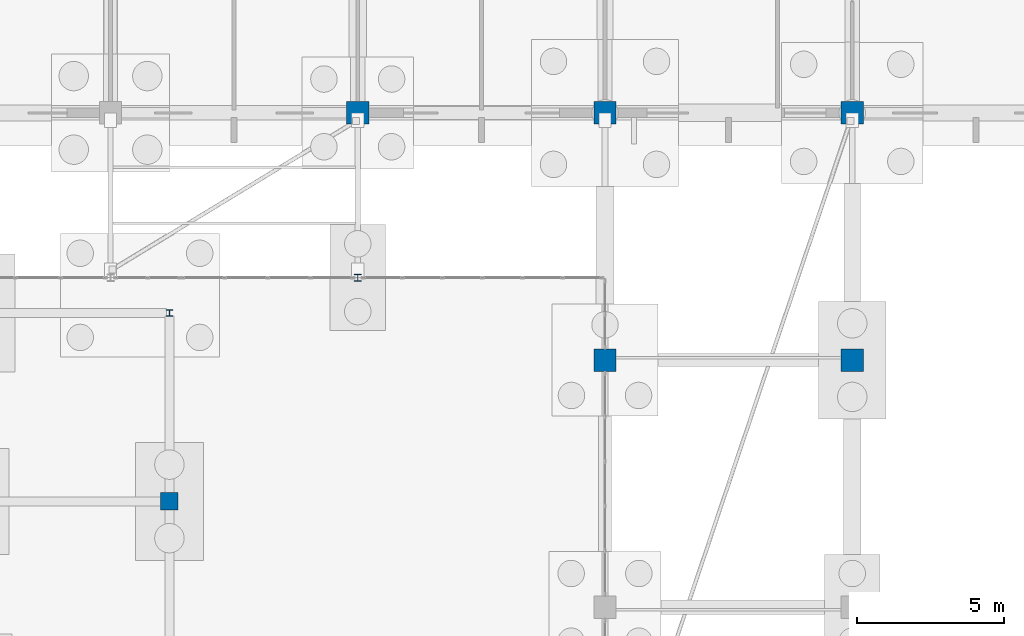
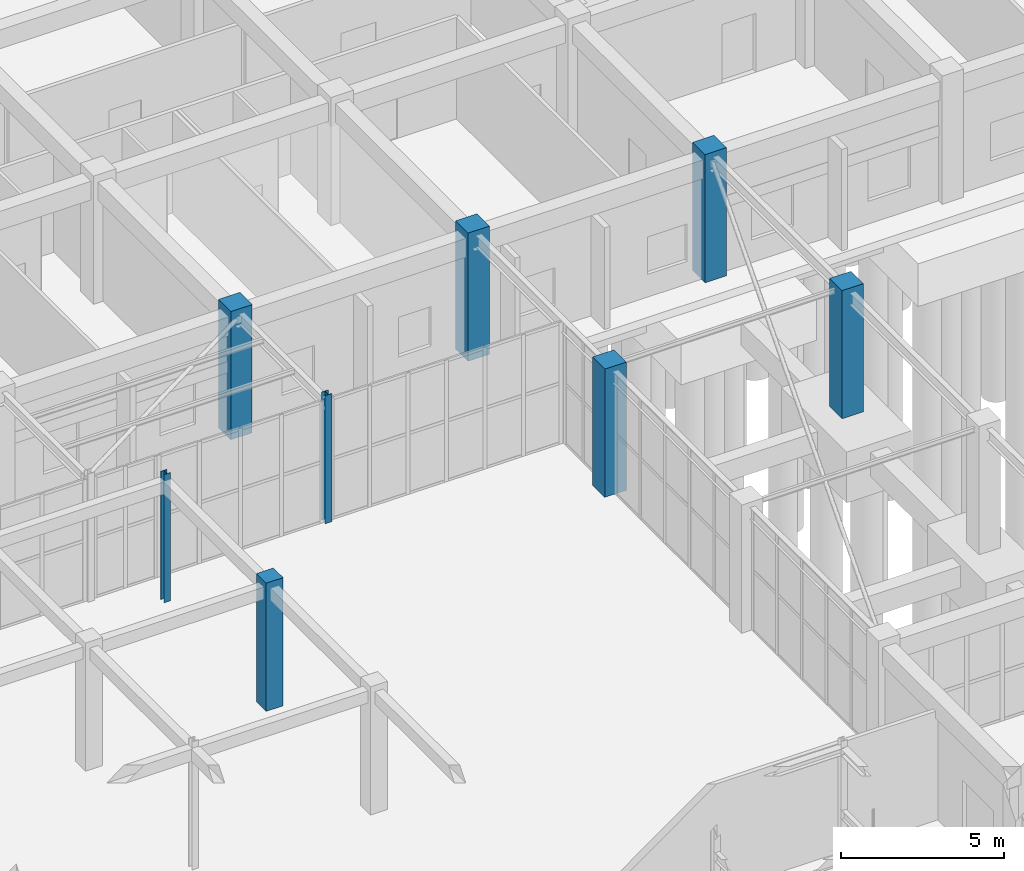
# One storey, part 35 of 192: 8 columns.
"""IFC4 building model written with IfcOpenShell, lengths in metres."""

from ifc_helpers import new_model, si_unit, direction, frame, origin, origin_2d, place, context, subcontext, project, spatial, rectangle, i_section, extrude, material, material_profile, profile_set, type_object, element, save


model = new_model("IFC4")

# Units and contexts
model_context = context("Model", 3, precision=1e-05, world=origin(), true_north=direction((0.0, 1.0)))
body_context = subcontext(model_context, "Body", "Model", "MODEL_VIEW")
ifc_project = project(units=[si_unit("LENGTHUNIT", "METRE"), si_unit("AREAUNIT", "SQUARE_METRE"), si_unit("VOLUMEUNIT", "CUBIC_METRE"), si_unit("PLANEANGLEUNIT", "RADIAN"), si_unit("MASSUNIT", "GRAM", prefix="KILO")], contexts=[model_context])

# Site, building, storey
site_placement = place(None, origin())
site = spatial("IfcSite", under=ifc_project, at=site_placement, CompositionType="ELEMENT")
building_placement = place(site_placement, origin())
building = spatial("IfcBuilding", under=site, at=building_placement, Name="Trelvath General Hospital", CompositionType="ELEMENT")
storey_placement = place(building_placement, origin())
storey = spatial("IfcBuildingStorey", under=building, at=storey_placement, Name="L00", CompositionType="ELEMENT", Elevation=0.0)

# Columns
ifc_material_1 = material(Name="Steel S355", Category="steel")
ifc_material_profile_1 = material_profile(ifc_material_1, i_section(OverallWidth=0.239990234375, OverallDepth=0.22998046875, WebThickness=0.007568359375, FlangeThickness=0.011962890625, at=origin_2d()), Name="HEA240")
ifc_profile_set_1 = profile_set([ifc_material_profile_1], Name="Steel S355")
column_type_1 = type_object("IfcColumnType", Name="BridgeColumn HEA240", PredefinedType="COLUMN", material=ifc_profile_set_1)
column_1_placement = place(storey_placement, frame((67.199951171875, 86.800048828125, 0.0), z_axis=(0.0, 0.0, 1.0), x_axis=(1.0, 0.0, 0.0)))
element("IfcColumn", 1, at=column_1_placement, inside=storey, type_object=column_type_1, Name="Bridge Portal Column BC-06 L00", PredefinedType="COLUMN", context=body_context, shape_type="SweptSolid", body=[
    extrude(i_section(OverallWidth=0.239990234375, OverallDepth=0.22998046875, WebThickness=0.007568359375, FlangeThickness=0.011962890625, at=origin_2d()), origin(), (0.0, 0.0, 1.0), 4.800048828125),
])
ifc_material_2 = material(Name="Concrete C40/50", Category="concrete")
ifc_material_profile_2 = material_profile(ifc_material_2, rectangle(XDim=0.60009765625, YDim=0.60009765625, at=origin_2d()), Name="RC600x600")
ifc_profile_set_2 = profile_set([ifc_material_profile_2], Name="Concrete C40/50")
column_type_2 = type_object("IfcColumnType", Name="Column RC600", PredefinedType="COLUMN", material=ifc_profile_set_2)
column_2_placement = place(storey_placement, frame((60.800048828125, 79.199951171875, 0.0), z_axis=(0.0, 0.0, 1.0), x_axis=(1.0, 0.0, 0.0)))
element("IfcColumn", 2, at=column_2_placement, inside=storey, type_object=column_type_2, Name="Cube Interior Column CC-W41 L00", PredefinedType="COLUMN", context=body_context, shape_type="SweptSolid", body=[
    extrude(rectangle(XDim=0.60009765625, YDim=0.60009765625, at=origin_2d()), origin(), (0.0, 0.0, 1.0), 4.800048828125),
])
ifc_material_3 = material(Name="Concrete C40/50", Category="concrete")
ifc_material_profile_3 = material_profile(ifc_material_3, rectangle(XDim=0.760009765625, YDim=0.760009765625, at=origin_2d()), Name="RC760x760")
ifc_profile_set_3 = profile_set([ifc_material_profile_3], Name="Concrete C40/50")
column_type_3 = type_object("IfcColumnType", Name="Column RC760", PredefinedType="COLUMN", material=ifc_profile_set_3)
for number, where, z_axis, x_axis, name in (
    (3, (67.199951171875, 92.39990234375, 0.0), (0.0, 0.0, 1.0), (1.0, 0.0, 0.0), "Column C-9L L00"),
    (4, (75.60009765625, 84.0, 0.0), (0.0, 0.0, 1.0), (1.0, 0.0, 0.0), "Column C-10K L00"),
    (5, (75.60009765625, 92.39990234375, 0.0), (0.0, 0.0, 1.0), (1.0, 0.0, 0.0), "Column C-10L L00"),
    (6, (84.0, 84.0, 0.0), (0.0, 0.0, 1.0), (1.0, 0.0, 0.0), "Column C-11K L00"),
    (7, (84.0, 92.39990234375, 0.0), (0.0, 0.0, 1.0), (1.0, 0.0, 0.0), "Column C-11L L00"),
):
    element("IfcColumn", number, at=place(storey_placement, frame(where, z_axis=z_axis, x_axis=x_axis)), inside=storey, type_object=column_type_3, Name=name, PredefinedType="COLUMN", context=body_context, shape_type="SweptSolid", body=[
        extrude(rectangle(XDim=0.760009765625, YDim=0.760009765625, at=origin_2d()), origin(), (0.0, 0.0, 1.0), 4.800048828125),
    ])
ifc_material_4 = material(Name="Steel S355", Category="steel")
ifc_material_profile_4 = material_profile(ifc_material_4, i_section(OverallWidth=0.219970703125, OverallDepth=0.219970703125, WebThickness=0.009521484375, FlangeThickness=0.01611328125, at=origin_2d()), Name="HEB220")
ifc_profile_set_4 = profile_set([ifc_material_profile_4], Name="Steel S355")
column_type_4 = type_object("IfcColumnType", Name="CubePost HEB220", PredefinedType="COLUMN", material=ifc_profile_set_4)
column_3_placement = place(storey_placement, frame((60.800048828125, 85.60009765625, 0.0), z_axis=(0.0, 0.0, 1.0), x_axis=(1.0, 0.0, 0.0)))
element("IfcColumn", 8, at=column_3_placement, inside=storey, type_object=column_type_4, Name="Cube Interior Column CC-W42 L00", PredefinedType="COLUMN", context=body_context, shape_type="SweptSolid", body=[
    extrude(i_section(OverallWidth=0.219970703125, OverallDepth=0.219970703125, WebThickness=0.009521484375, FlangeThickness=0.01611328125, at=origin_2d()), origin(), (0.0, 0.0, 1.0), 4.800048828125),
])

save(model, "model.ifc")
